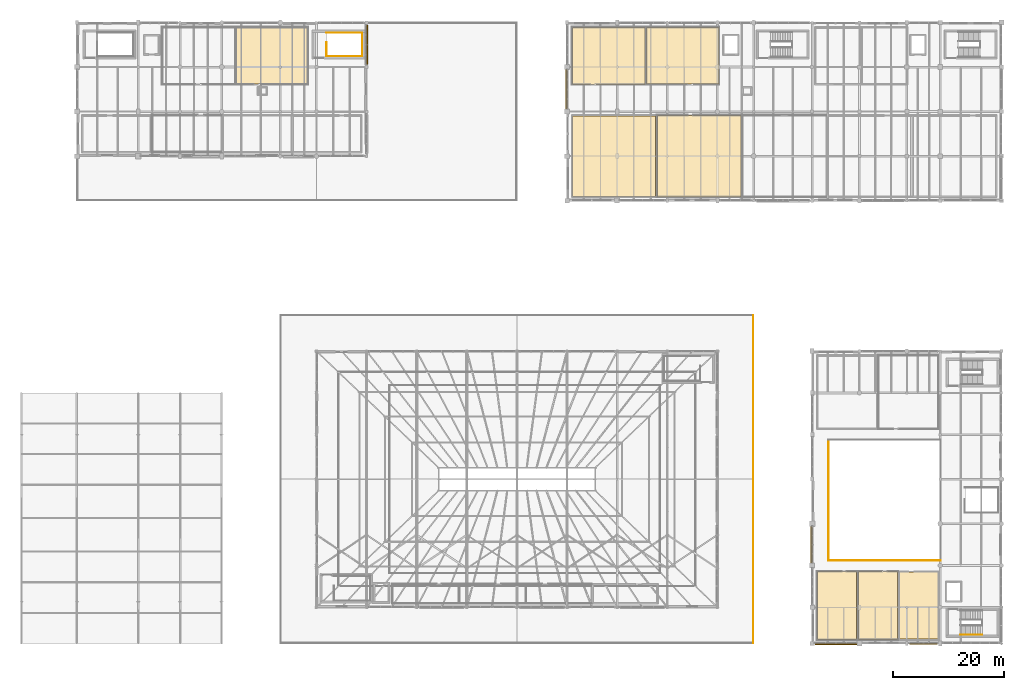
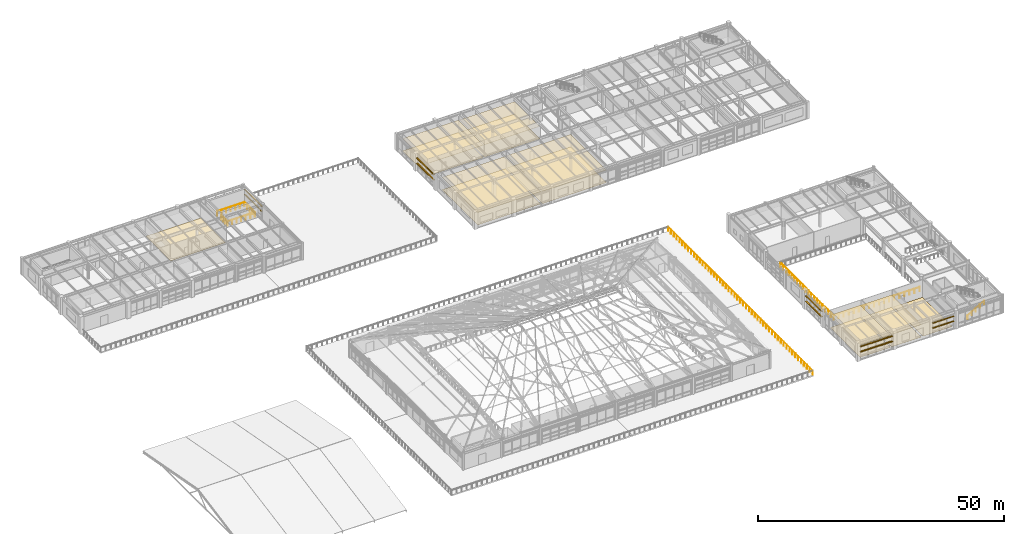
# One storey, part 166 of 168: 14 coverings, 10 shading devices, 5 railings.
"""IFC4 building model written with IfcOpenShell, lengths in metres."""

import ifcopenshell
import ifcopenshell.guid

model = None  # the IFC model being written
_history = None  # IfcOwnerHistory: only IFC2X3 demands one
_inside = {}  # id of a spatial element -> (the spatial element, [elements in it])
_under = {}  # id of a project, library or spatial element -> (it, [spatial elements below it])
_declared = {}  # id of a project -> (the project, [libraries it declares])
_typed = {}  # id of a type object -> (the type object, [elements of that type])
_made_of = {}  # id of a material, layer set ... -> (it, [elements and type objects made of it])


def new_model(schema):
    """Start an empty IFC model of exactly this schema.

    Asked for "IFC4X3", IfcOpenShell would pick the latest addendum, in which some entities
    have other attributes; the version numbers below select the first issue.
    IFC2X3 requires an IfcOwnerHistory on every rooted entity: one is made here for all.
    """
    global model, _history
    if schema == "IFC4X3":
        model = ifcopenshell.file(schema_version=(4, 3, 0, 0))
    else:
        model = ifcopenshell.file(schema=schema)
    _inside.clear()
    _under.clear()
    _declared.clear()
    _typed.clear()
    _made_of.clear()
    _history = None
    if model.schema == "IFC2X3":
        org = make("IfcOrganization", Name="unknown")
        user = make(
            "IfcPersonAndOrganization",
            ThePerson=make("IfcPerson", FamilyName="unknown"),
            TheOrganization=org,
        )
        app = make(
            "IfcApplication",
            ApplicationDeveloper=org,
            Version="unknown",
            ApplicationFullName="unknown",
            ApplicationIdentifier="unknown",
        )
        _history = make(
            "IfcOwnerHistory",
            OwningUser=user,
            OwningApplication=app,
            ChangeAction="ADDED",
            CreationDate=0,
        )
    return model


def make(cls, **values):
    """One entity of the class cls with the attributes given. An attribute that is None is left unset."""
    return model.create_entity(
        cls, **{name: value for name, value in values.items() if value is not None}
    )


def rooted(cls, **values):
    """An entity with a GlobalId (a new one), such as an element, a storey or a relation."""
    return make(cls, GlobalId=ifcopenshell.guid.new(), OwnerHistory=_history, **values)


def si_unit(unit_type, name, prefix=None):
    """IfcSIUnit, for example si_unit("LENGTHUNIT", "METRE", prefix="MILLI")."""
    return make("IfcSIUnit", UnitType=unit_type, Prefix=prefix, Name=name)


def assignment(units):
    """IfcUnitAssignment: the units of a project."""
    return None if units is None else make("IfcUnitAssignment", Units=units)


def point(xyz):
    """IfcCartesianPoint."""
    return None if xyz is None else make("IfcCartesianPoint", Coordinates=xyz)


def direction(xyz):
    """IfcDirection."""
    return None if xyz is None else make("IfcDirection", DirectionRatios=xyz)


def frame(location, z_axis=None, x_axis=None):
    """IfcAxis2Placement3D, a coordinate frame: its origin and axes. An axis left out is left unset."""
    return make(
        "IfcAxis2Placement3D",
        Location=point(location),
        Axis=direction(z_axis),
        RefDirection=direction(x_axis),
    )


def frame_2d(location, x_axis=None):
    """IfcAxis2Placement2D, a coordinate frame in the plane: its origin and x axis."""
    return make(
        "IfcAxis2Placement2D", Location=point(location), RefDirection=direction(x_axis)
    )


def origin():
    """The frame at (0, 0, 0) with its axes left unset."""
    return frame((0.0, 0.0, 0.0))


def origin_2d():
    """The frame at (0, 0) in the plane with its x axis left unset."""
    return frame_2d((0.0, 0.0))


def place(relative_to, where):
    """IfcLocalPlacement: puts the frame where relative to a parent placement (None: the world)."""
    return make(
        "IfcLocalPlacement", PlacementRelTo=relative_to, RelativePlacement=where
    )


def context(
    kind, dimensions, precision=None, world=None, true_north=None, identifier=None
):
    """IfcGeometricRepresentationContext, for example the 3D "Model" context."""
    return make(
        "IfcGeometricRepresentationContext",
        ContextIdentifier=identifier,
        ContextType=kind,
        CoordinateSpaceDimension=dimensions,
        Precision=precision,
        WorldCoordinateSystem=world,
        TrueNorth=true_north,
    )


def subcontext(parent, identifier, kind, view, scale=None):
    """IfcGeometricRepresentationSubContext, for example "Body" below "Model"."""
    return make(
        "IfcGeometricRepresentationSubContext",
        ContextIdentifier=identifier,
        ContextType=kind,
        ParentContext=parent,
        TargetScale=scale,
        TargetView=view,
    )


def project(units=None, contexts=None):
    """IfcProject with its units and contexts."""
    return rooted(
        "IfcProject",
        Name="project",
        RepresentationContexts=contexts,
        UnitsInContext=assignment(units),
    )


def spatial(cls, under=None, at=None, **own):
    """A site, building, storey or space (cls), placed at a placement, below another one or the project."""
    s = rooted(cls, ObjectPlacement=at, **own)
    if under is not None:
        _under.setdefault(under.id(), (under, []))[1].append(s)
    return s


def polyline(points):
    """IfcPolyline through the points."""
    return make("IfcPolyline", Points=[point(p) for p in points])


def profile(cls, at=None, kind="AREA", **sizes):
    """A parametric profile (cls). Its sizes go by their IFC names, for example OverallWidth=200.0."""
    return make(cls, ProfileType=kind, Position=at, **sizes)


def rectangle(**sizes):
    """IfcRectangleProfileDef."""
    return profile("IfcRectangleProfileDef", **sizes)


def circle(**sizes):
    """IfcCircleProfileDef."""
    return profile("IfcCircleProfileDef", **sizes)


def outline(outer, holes=None, kind="AREA"):
    """IfcArbitraryClosedProfileDef: a profile drawn as a closed curve; with holes, ...WithVoids."""
    if holes is None:
        return make("IfcArbitraryClosedProfileDef", ProfileType=kind, OuterCurve=outer)
    return make(
        "IfcArbitraryProfileDefWithVoids",
        ProfileType=kind,
        OuterCurve=outer,
        InnerCurves=holes,
    )


def extrude(swept, where, along, depth):
    """IfcExtrudedAreaSolid: the profile swept, set in the frame where, extruded along a direction by depth."""
    return make(
        "IfcExtrudedAreaSolid",
        SweptArea=swept,
        Position=where,
        ExtrudedDirection=direction(along),
        Depth=depth,
    )


def shape(context_of_items, identifier, shape_type, items):
    """IfcShapeRepresentation: the items that make up one representation, for example the "Body"."""
    return make(
        "IfcShapeRepresentation",
        ContextOfItems=context_of_items,
        RepresentationIdentifier=identifier,
        RepresentationType=shape_type,
        Items=items,
    )


def material(Name=None, Category=None):
    """IfcMaterial."""
    return make("IfcMaterial", Name=Name, Category=Category)


def layer(
    of_material, thickness, ventilated=None, Name=None, Category=None, Priority=None
):
    """IfcMaterialLayer: one layer of a wall or slab, of a material (None: an air gap)."""
    return make(
        "IfcMaterialLayer",
        Material=of_material,
        LayerThickness=thickness,
        IsVentilated=ventilated,
        Name=Name,
        Category=Category,
        Priority=Priority,
    )


def layer_set(layers, Name=None):
    """IfcMaterialLayerSet."""
    return make("IfcMaterialLayerSet", MaterialLayers=layers, LayerSetName=Name)


def made_of(thing, what):
    """Note that an element or type object is made of a material, layer set ...; save() writes the relation."""
    if what is not None:
        _made_of.setdefault(what.id(), (what, []))[1].append(thing)
    return thing


def type_object(cls, material=None, **own):
    """A type object (cls), such as IfcWallType, which elements share."""
    return made_of(rooted(cls, **own), material)


def element(
    cls,
    number,
    at=None,
    inside=None,
    cuts=None,
    type_object=None,
    material=None,
    context=None,
    identifier="Body",
    shape_type=None,
    held_by="IfcProductDefinitionShape",
    body=None,
    shapes=None,
    **own,
):
    """One element of the class cls, such as IfcWall. Its Tag is "e" and its number.

    at: its placement. inside: the storey or other place that contains it. cuts: it is an
    opening in that element (IfcRelVoidsElement). A single representation is given by context,
    identifier, shape_type and body (its items); several are given by shapes. held_by: the class
    of the entity that holds the representations. save() writes the other relations.
    """
    e = rooted(cls, Tag="e%d" % number, ObjectPlacement=at, **own)
    if body is not None:
        shapes = [shape(context, identifier, shape_type, body)]
    if shapes is not None:
        e.Representation = make(held_by, Representations=shapes)
    if inside is not None:
        _inside.setdefault(inside.id(), (inside, []))[1].append(e)
    if cuts is not None:
        rooted(
            "IfcRelVoidsElement", RelatingBuildingElement=cuts, RelatedOpeningElement=e
        )
    if type_object is not None:
        _typed.setdefault(type_object.id(), (type_object, []))[1].append(e)
    return made_of(e, material)


def aggregate(whole, parts):
    """IfcRelAggregates: a whole, such as a stair, and the parts it consists of."""
    return rooted("IfcRelAggregates", RelatingObject=whole, RelatedObjects=parts)


def save(model, path):
    """Write the relations noted so far, then the file.

    IfcRelAggregates (storeys below a building ...), IfcRelContainedInSpatialStructure (elements
    in a storey), IfcRelDefinesByType, IfcRelAssociatesMaterial and IfcRelDeclares: one each for
    every whole, place, type object, material and project.
    """
    for whole, parts in _under.values():
        aggregate(whole, parts)
    for where, things in _inside.values():
        rooted(
            "IfcRelContainedInSpatialStructure",
            RelatedElements=things,
            RelatingStructure=where,
        )
    for kind, things in _typed.values():
        rooted("IfcRelDefinesByType", RelatedObjects=things, RelatingType=kind)
    for what, things in _made_of.values():
        rooted("IfcRelAssociatesMaterial", RelatedObjects=things, RelatingMaterial=what)
    for by, libraries in _declared.values():
        rooted("IfcRelDeclares", RelatingContext=by, RelatedDefinitions=libraries)
    model.write(path)


model = new_model("IFC4")

# Units and contexts
model_context = context("Model", 3, precision=1e-05, world=origin(), true_north=direction((0.0, 1.0)))
body_context = subcontext(model_context, "Body", "Model", "MODEL_VIEW")
ifc_project = project(units=[si_unit("LENGTHUNIT", "METRE"), si_unit("AREAUNIT", "SQUARE_METRE"), si_unit("VOLUMEUNIT", "CUBIC_METRE"), si_unit("PLANEANGLEUNIT", "RADIAN"), si_unit("MASSUNIT", "GRAM", prefix="KILO"), si_unit("THERMODYNAMICTEMPERATUREUNIT", "KELVIN"), si_unit("POWERUNIT", "WATT")], contexts=[model_context])

# Site, building, storey
site_placement = place(None, origin())
site = spatial("IfcSite", under=ifc_project, at=site_placement, CompositionType="ELEMENT")
building_placement = place(site_placement, origin())
building = spatial("IfcBuilding", under=site, at=building_placement, Name="Tepalcoro Natatorium and Aquatics Centre", CompositionType="ELEMENT")
storey_placement = place(building_placement, frame((0.0, 0.0, 10.199951171875)))
storey = spatial("IfcBuildingStorey", under=building, at=storey_placement, Name="L02", CompositionType="ELEMENT", Elevation=10.199951171875)

# Railings
ifc_material_1 = material(Name="Bronze-Anodised Extruded Aluminium Alloy EN AW-6063 T6", Category="aluminium")
railing_type_1 = type_object("IfcRailingType", Name="BL_BRONZE_1100", PredefinedType="BALUSTRADE", material=ifc_material_1)
railing_1_placement = place(storey_placement, frame((144.919921875, 21.419921875, 0.0)))
element("IfcRailing", 1, at=railing_1_placement, inside=storey, type_object=railing_type_1, Name="V2 L02 Diving Well Gallery Balustrade (S)", PredefinedType="BALUSTRADE", context=body_context, shape_type="SweptSolid", body=[
    extrude(circle(Radius=0.02392578125, at=origin_2d()), frame((0.0, 0.0, 1.076171875), z_axis=(1.0, 0.0, 0.0), x_axis=(0.0, 1.0, 0.0)), (0.0, 0.0, 1.0), 20.16015625),
    extrude(circle(Radius=0.02099609375, at=origin_2d()), origin(), (0.0, 0.0, 1.0), 1.052001953125),
    extrude(circle(Radius=0.02099609375, at=origin_2d()), frame((1.185791015625, 0.0, 0.0)), (0.0, 0.0, 1.0), 1.052001953125),
    extrude(circle(Radius=0.02099609375, at=origin_2d()), frame((2.371826171875, 0.0, 0.0)), (0.0, 0.0, 1.0), 1.052001953125),
    extrude(circle(Radius=0.02099609375, at=origin_2d()), frame((3.5576171875, 0.0, 0.0)), (0.0, 0.0, 1.0), 1.052001953125),
    extrude(circle(Radius=0.02099609375, at=origin_2d()), frame((4.74365234375, 0.0, 0.0)), (0.0, 0.0, 1.0), 1.052001953125),
    extrude(circle(Radius=0.02099609375, at=origin_2d()), frame((5.929443359375, 0.0, 0.0)), (0.0, 0.0, 1.0), 1.052001953125),
    extrude(circle(Radius=0.02099609375, at=origin_2d()), frame((7.115234375, 0.0, 0.0)), (0.0, 0.0, 1.0), 1.052001953125),
    extrude(circle(Radius=0.02099609375, at=origin_2d()), frame((8.30126953125, 0.0, 0.0)), (0.0, 0.0, 1.0), 1.052001953125),
    extrude(circle(Radius=0.02099609375, at=origin_2d()), frame((9.487060546875, 0.0, 0.0)), (0.0, 0.0, 1.0), 1.052001953125),
    extrude(circle(Radius=0.02099609375, at=origin_2d()), frame((10.673095703125, 0.0, 0.0)), (0.0, 0.0, 1.0), 1.052001953125),
    extrude(circle(Radius=0.02099609375, at=origin_2d()), frame((11.85888671875, 0.0, 0.0)), (0.0, 0.0, 1.0), 1.052001953125),
    extrude(circle(Radius=0.02099609375, at=origin_2d()), frame((13.044921875, 0.0, 0.0)), (0.0, 0.0, 1.0), 1.052001953125),
    extrude(circle(Radius=0.02099609375, at=origin_2d()), frame((14.230712890625, 0.0, 0.0)), (0.0, 0.0, 1.0), 1.052001953125),
    extrude(circle(Radius=0.02099609375, at=origin_2d()), frame((15.41650390625, 0.0, 0.0)), (0.0, 0.0, 1.0), 1.052001953125),
    extrude(circle(Radius=0.02099609375, at=origin_2d()), frame((16.6025390625, 0.0, 0.0)), (0.0, 0.0, 1.0), 1.052001953125),
    extrude(circle(Radius=0.02099609375, at=origin_2d()), frame((17.788330078125, 0.0, 0.0)), (0.0, 0.0, 1.0), 1.052001953125),
    extrude(circle(Radius=0.02099609375, at=origin_2d()), frame((18.974365234375, 0.0, 0.0)), (0.0, 0.0, 1.0), 1.052001953125),
    extrude(circle(Radius=0.02099609375, at=origin_2d()), frame((20.16015625, 0.0, 0.0)), (0.0, 0.0, 1.0), 1.052001953125),
])
railing_2_placement = place(storey_placement, frame((144.919921875, 43.080078125, 0.0)))
element("IfcRailing", 2, at=railing_2_placement, inside=storey, type_object=railing_type_1, Name="V2 L02 Diving Well Gallery Balustrade (W)", PredefinedType="BALUSTRADE", context=body_context, shape_type="SweptSolid", body=[
    extrude(circle(Radius=0.02392578125, at=origin_2d()), frame((0.0, 0.0, 1.076171875), z_axis=(0.0, -1.0, 0.0), x_axis=(1.0, 0.0, 0.0)), (0.0, 0.0, 1.0), 21.66015625),
    extrude(circle(Radius=0.02099609375, at=origin_2d()), origin(), (0.0, 0.0, 1.0), 1.052001953125),
    extrude(circle(Radius=0.02099609375, at=origin_2d()), frame((0.0, -1.139892578125, 0.0)), (0.0, 0.0, 1.0), 1.052001953125),
    extrude(circle(Radius=0.02099609375, at=origin_2d()), frame((0.0, -2.280029296875, 0.0)), (0.0, 0.0, 1.0), 1.052001953125),
    extrude(circle(Radius=0.02099609375, at=origin_2d()), frame((0.0, -3.419921875, 0.0)), (0.0, 0.0, 1.0), 1.052001953125),
    extrude(circle(Radius=0.02099609375, at=origin_2d()), frame((0.0, -4.56005859375, 0.0)), (0.0, 0.0, 1.0), 1.052001953125),
    extrude(circle(Radius=0.02099609375, at=origin_2d()), frame((0.0, -5.699951171875, 0.0)), (0.0, 0.0, 1.0), 1.052001953125),
    extrude(circle(Radius=0.02099609375, at=origin_2d()), frame((0.0, -6.840087890625, 0.0)), (0.0, 0.0, 1.0), 1.052001953125),
    extrude(circle(Radius=0.02099609375, at=origin_2d()), frame((0.0, -7.97998046875, 0.0)), (0.0, 0.0, 1.0), 1.052001953125),
    extrude(circle(Radius=0.02099609375, at=origin_2d()), frame((0.0, -9.1201171875, 0.0)), (0.0, 0.0, 1.0), 1.052001953125),
    extrude(circle(Radius=0.02099609375, at=origin_2d()), frame((0.0, -10.260009765625, 0.0)), (0.0, 0.0, 1.0), 1.052001953125),
    extrude(circle(Radius=0.02099609375, at=origin_2d()), frame((0.0, -11.400146484375, 0.0)), (0.0, 0.0, 1.0), 1.052001953125),
    extrude(circle(Radius=0.02099609375, at=origin_2d()), frame((0.0, -12.5400390625, 0.0)), (0.0, 0.0, 1.0), 1.052001953125),
    extrude(circle(Radius=0.02099609375, at=origin_2d()), frame((0.0, -13.68017578125, 0.0)), (0.0, 0.0, 1.0), 1.052001953125),
    extrude(circle(Radius=0.02099609375, at=origin_2d()), frame((0.0, -14.820068359375, 0.0)), (0.0, 0.0, 1.0), 1.052001953125),
    extrude(circle(Radius=0.02099609375, at=origin_2d()), frame((0.0, -15.960205078125, 0.0)), (0.0, 0.0, 1.0), 1.052001953125),
    extrude(circle(Radius=0.02099609375, at=origin_2d()), frame((0.0, -17.10009765625, 0.0)), (0.0, 0.0, 1.0), 1.052001953125),
    extrude(circle(Radius=0.02099609375, at=origin_2d()), frame((0.0, -18.240234375, 0.0)), (0.0, 0.0, 1.0), 1.052001953125),
    extrude(circle(Radius=0.02099609375, at=origin_2d()), frame((0.0, -19.380126953125, 0.0)), (0.0, 0.0, 1.0), 1.052001953125),
    extrude(circle(Radius=0.02099609375, at=origin_2d()), frame((0.0, -20.520263671875, 0.0)), (0.0, 0.0, 1.0), 1.052001953125),
    extrude(circle(Radius=0.02099609375, at=origin_2d()), frame((0.0, -21.66015625, 0.0)), (0.0, 0.0, 1.0), 1.052001953125),
])

# Coverings
ifc_material_2 = material(Name="Perforated Corrosion-Resistant Acoustic Aluminium Baffle Ceiling", Category="aluminium")
ifc_layer_1 = layer(ifc_material_2, 0.044921875)
ifc_layer_set_1 = layer_set([ifc_layer_1], Name="Perforated Corrosion-Resistant Acoustic Aluminium Baffle Ceiling")
covering_type_1 = type_object("IfcCoveringType", Name="CL_BAFFLE_120", PredefinedType="CEILING", material=ifc_layer_set_1)
covering_1_placement = place(storey_placement, frame((0.0, 0.0, 3.050048828125)))
element("IfcCovering", 3, at=covering_1_placement, inside=storey, type_object=covering_type_1, Name="High-Speed Motion-Capture Biomechanics Lab Suspended Ceiling", PredefinedType="CEILING", context=body_context, shape_type="SweptSolid", body=[
    extrude(outline(polyline([(150.2880859375, 7.215087890625), (150.2880859375, 19.385009765625), (157.31201171875, 19.385009765625), (157.31201171875, 7.215087890625), (150.2880859375, 7.215087890625)])), origin(), (0.0, 0.0, 1.0), 0.044921875),
])
covering_2_placement = place(storey_placement, frame((0.0, 0.0, 3.050048828125)))
element("IfcCovering", 4, at=covering_2_placement, inside=storey, type_object=covering_type_1, Name="Executive Director & Venue Management Offices Suspended Ceiling", PredefinedType="CEILING", context=body_context, shape_type="SweptSolid", body=[
    extrude(outline(polyline([(98.929931640625, 106.889892578125), (98.929931640625, 117.110107421875), (111.969970703125, 117.110107421875), (111.969970703125, 106.889892578125), (98.929931640625, 106.889892578125)])), origin(), (0.0, 0.0, 1.0), 0.044921875),
])
ifc_material_3 = material(Name="Moisture-Resistant Acoustic Gypsum Drywall on Cold-Formed Metal Studs")
ifc_layer_2 = layer(ifc_material_3, 0.030029296875)
ifc_layer_set_2 = layer_set([ifc_layer_2], Name="Moisture-Resistant Acoustic Gypsum Drywall on Cold-Formed Metal Studs")
covering_type_2 = type_object("IfcCoveringType", Name="CL_GYPSUM_30", PredefinedType="CEILING", material=ifc_layer_set_2)
covering_3_placement = place(storey_placement, frame((0.0, 0.0, 3.050048828125)))
element("IfcCovering", 5, at=covering_3_placement, inside=storey, type_object=covering_type_2, Name="Television Master Control & Replay Production Gallery Suspended Ceiling", PredefinedType="CEILING", context=body_context, shape_type="SweptSolid", body=[
    extrude(outline(polyline([(99.010009765625, 86.77001953125), (99.010009765625, 101.22998046875), (113.8701171875, 101.22998046875), (113.8701171875, 86.77001953125), (99.010009765625, 86.77001953125)])), origin(), (0.0, 0.0, 1.0), 0.030029296875),
])
covering_4_placement = place(storey_placement, frame((0.0, 0.0, 3.050048828125)))
element("IfcCovering", 6, at=covering_4_placement, inside=storey, type_object=covering_type_2, Name="Boardroom & Aquatics Archive Library Suspended Ceiling", PredefinedType="CEILING", context=body_context, shape_type="SweptSolid", body=[
    extrude(outline(polyline([(112.2548828125, 106.9150390625), (112.2548828125, 117.0849609375), (125.2451171875, 117.0849609375), (125.2451171875, 106.9150390625), (112.2548828125, 106.9150390625)])), origin(), (0.0, 0.0, 1.0), 0.030029296875),
])
ifc_layer_3 = layer(ifc_material_2, 0.0400390625)
ifc_layer_set_3 = layer_set([ifc_layer_3], Name="Perforated Corrosion-Resistant Acoustic Aluminium Baffle Ceiling")
covering_type_3 = type_object("IfcCoveringType", Name="CL_PERF_AL_40", PredefinedType="CEILING", material=ifc_layer_set_3)
covering_5_placement = place(storey_placement, frame((0.0, 0.0, 3.050048828125)))
element("IfcCovering", 7, at=covering_5_placement, inside=storey, type_object=covering_type_3, Name="10m Platform Synchronised Diving Preparation Studio Suspended Ceiling", PredefinedType="CEILING", context=body_context, shape_type="SweptSolid", body=[
    extrude(outline(polyline([(142.929931640625, 7.18994140625), (142.929931640625, 19.409912109375), (150.0029296875, 19.409912109375), (150.0029296875, 7.18994140625), (142.929931640625, 7.18994140625)])), origin(), (0.0, 0.0, 1.0), 0.0400390625),
])
covering_6_placement = place(storey_placement, frame((0.0, 0.0, 3.050048828125)))
element("IfcCovering", 8, at=covering_6_placement, inside=storey, type_object=covering_type_3, Name="Audio Mixing, Graphics & Post-Production Suites Suspended Ceiling", PredefinedType="CEILING", context=body_context, shape_type="SweptSolid", body=[
    extrude(outline(polyline([(114.2099609375, 86.68994140625), (114.2099609375, 101.31005859375), (129.22998046875, 101.31005859375), (129.22998046875, 86.68994140625), (114.2099609375, 86.68994140625)])), origin(), (0.0, 0.0, 1.0), 0.0400390625),
])
ifc_material_4 = material(Name="Shock-Absorbing Vulcanised Athletic Rubber Flooring")
ifc_layer_4 = layer(ifc_material_4, 0.010009765625)
ifc_layer_set_4 = layer_set([ifc_layer_4], Name="Shock-Absorbing Vulcanised Athletic Rubber Flooring")
covering_type_4 = type_object("IfcCoveringType", Name="FL_CARPET_10", PredefinedType="FLOORING", material=ifc_layer_set_4)
covering_7_placement = place(storey_placement, origin())
element("IfcCovering", 9, at=covering_7_placement, inside=storey, type_object=covering_type_4, Name="Television Master Control & Replay Production Gallery Floor Finish", PredefinedType="FLOORING", context=body_context, shape_type="SweptSolid", body=[
    extrude(outline(polyline([(99.010009765625, 86.77001953125), (99.010009765625, 101.22998046875), (113.8701171875, 101.22998046875), (113.8701171875, 86.77001953125), (99.010009765625, 86.77001953125)])), origin(), (0.0, 0.0, 1.0), 0.010009765625),
])
ifc_material_5 = material(Name="Slip-Resistant Porcelain Aquatic Deck Tile")
ifc_layer_5 = layer(ifc_material_5, 0.02197265625)
ifc_layer_set_5 = layer_set([ifc_layer_5], Name="Slip-Resistant Porcelain Aquatic Deck Tile")
covering_type_5 = type_object("IfcCoveringType", Name="FL_DECK_TILE_22", PredefinedType="FLOORING", material=ifc_layer_set_5)
covering_8_placement = place(storey_placement, origin())
element("IfcCovering", 10, at=covering_8_placement, inside=storey, type_object=covering_type_5, Name="10m Platform Synchronised Diving Preparation Studio Floor Finish", PredefinedType="FLOORING", context=body_context, shape_type="SweptSolid", body=[
    extrude(outline(polyline([(142.929931640625, 7.18994140625), (142.929931640625, 19.409912109375), (150.0029296875, 19.409912109375), (150.0029296875, 7.18994140625), (142.929931640625, 7.18994140625)])), origin(), (0.0, 0.0, 1.0), 0.02197265625),
])
ifc_material_6 = material(Name="Chemical-Resistant Quartz-Broadcast Epoxy Flooring")
ifc_layer_6 = layer(ifc_material_6, 0.008056640625)
ifc_layer_set_6 = layer_set([ifc_layer_6], Name="Chemical-Resistant Quartz-Broadcast Epoxy Flooring")
covering_type_6 = type_object("IfcCoveringType", Name="FL_EPOXY_8", PredefinedType="FLOORING", material=ifc_layer_set_6)
covering_9_placement = place(storey_placement, origin())
element("IfcCovering", 11, at=covering_9_placement, inside=storey, type_object=covering_type_6, Name="Sports Medicine Physician & Ultrasound Rooms Floor Finish", PredefinedType="FLOORING", context=body_context, shape_type="SweptSolid", body=[
    extrude(outline(polyline([(38.580078125, 106.93994140625), (38.580078125, 117.06005859375), (51.419921875, 117.06005859375), (51.419921875, 106.93994140625), (38.580078125, 106.93994140625)])), origin(), (0.0, 0.0, 1.0), 0.008056640625),
])
covering_10_placement = place(storey_placement, origin())
element("IfcCovering", 12, at=covering_10_placement, inside=storey, type_object=covering_type_6, Name="Boardroom & Aquatics Archive Library Floor Finish", PredefinedType="FLOORING", context=body_context, shape_type="SweptSolid", body=[
    extrude(outline(polyline([(112.2548828125, 106.9150390625), (112.2548828125, 117.0849609375), (125.2451171875, 117.0849609375), (125.2451171875, 106.9150390625), (112.2548828125, 106.9150390625)])), origin(), (0.0, 0.0, 1.0), 0.008056640625),
])
ifc_layer_7 = layer(ifc_material_4, 0.011962890625)
ifc_layer_set_7 = layer_set([ifc_layer_7], Name="Shock-Absorbing Vulcanised Athletic Rubber Flooring")
covering_type_7 = type_object("IfcCoveringType", Name="FL_RUBBER_12", PredefinedType="FLOORING", material=ifc_layer_set_7)
covering_11_placement = place(storey_placement, origin())
element("IfcCovering", 13, at=covering_11_placement, inside=storey, type_object=covering_type_7, Name="Audio Mixing, Graphics & Post-Production Suites Floor Finish", PredefinedType="FLOORING", context=body_context, shape_type="SweptSolid", body=[
    extrude(outline(polyline([(114.2099609375, 86.68994140625), (114.2099609375, 101.31005859375), (129.22998046875, 101.31005859375), (129.22998046875, 86.68994140625), (114.2099609375, 86.68994140625)])), origin(), (0.0, 0.0, 1.0), 0.011962890625),
])
ifc_material_7 = material(Name="Polished Jalisco Basalt Aggregate Terrazzo Flooring", Category="masonry")
ifc_layer_8 = layer(ifc_material_7, 0.028076171875)
ifc_layer_set_8 = layer_set([ifc_layer_8], Name="Polished Jalisco Basalt Aggregate Terrazzo Flooring")
covering_type_8 = type_object("IfcCoveringType", Name="FL_TERRAZZO_25", PredefinedType="FLOORING", material=ifc_layer_set_8)
covering_12_placement = place(storey_placement, origin())
element("IfcCovering", 14, at=covering_12_placement, inside=storey, type_object=covering_type_8, Name="L02 Diving Athletes Accessible WC & Shower Floor Finish", PredefinedType="FLOORING", context=body_context, shape_type="SweptSolid", body=[
    extrude(outline(polyline([(157.697021484375, 7.2900390625), (157.697021484375, 19.31005859375), (164.570068359375, 19.31005859375), (164.570068359375, 7.2900390625), (157.697021484375, 7.2900390625)])), origin(), (0.0, 0.0, 1.0), 0.028076171875),
])
covering_13_placement = place(storey_placement, origin())
element("IfcCovering", 15, at=covering_13_placement, inside=storey, type_object=covering_type_8, Name="Executive Director & Venue Management Offices Floor Finish", PredefinedType="FLOORING", context=body_context, shape_type="SweptSolid", body=[
    extrude(outline(polyline([(98.929931640625, 106.889892578125), (98.929931640625, 117.110107421875), (111.969970703125, 117.110107421875), (111.969970703125, 106.889892578125), (98.929931640625, 106.889892578125)])), origin(), (0.0, 0.0, 1.0), 0.028076171875),
])
ifc_material_8 = material(Name="Sprung Maple Sports Floor Assembly")
ifc_layer_9 = layer(ifc_material_8, 0.02392578125)
ifc_layer_set_9 = layer_set([ifc_layer_9], Name="Sprung Maple Sports Floor Assembly")
covering_type_9 = type_object("IfcCoveringType", Name="FL_WOOD_22", PredefinedType="FLOORING", material=ifc_layer_set_9)
covering_14_placement = place(storey_placement, origin())
element("IfcCovering", 16, at=covering_14_placement, inside=storey, type_object=covering_type_9, Name="High-Speed Motion-Capture Biomechanics Lab Floor Finish", PredefinedType="FLOORING", context=body_context, shape_type="SweptSolid", body=[
    extrude(outline(polyline([(150.2880859375, 7.215087890625), (150.2880859375, 19.385009765625), (157.31201171875, 19.385009765625), (157.31201171875, 7.215087890625), (150.2880859375, 7.215087890625)])), origin(), (0.0, 0.0, 1.0), 0.024169921875),
])

# Railings
railing_type_2 = type_object("IfcRailingType", Name="RL_HAND_900_BRZ", PredefinedType="HANDRAIL", material=ifc_material_1)
railing_3_placement = place(storey_placement, frame((168.64990234375, 8.080078125, 0.0)))
element("IfcRailing", 17, at=railing_3_placement, inside=storey, type_object=railing_type_2, Name="ST03-L02 Wall Handrail F1", PredefinedType="HANDRAIL", context=body_context, shape_type="SweptSolid", body=[
    extrude(circle(Radius=0.02392578125, at=origin_2d()), frame((0.0, 0.0, 0.8759765625), z_axis=(0.861369533088, 0.0, 0.507978865178), x_axis=(0.0, 1.0, 0.0)), (0.0, 0.0, 1.0), 4.52783203125),
    extrude(circle(Radius=0.02099609375, at=origin_2d()), origin(), (0.0, 0.0, 1.0), 0.851806640625),
    extrude(circle(Radius=0.02099609375, at=origin_2d()), frame((0.97509765625, 0.0, 0.574951171875)), (0.0, 0.0, 1.0), 0.851806640625),
    extrude(circle(Radius=0.02099609375, at=origin_2d()), frame((1.9501953125, 0.0, 1.14990234375)), (0.0, 0.0, 1.0), 0.851806640625),
    extrude(circle(Radius=0.02099609375, at=origin_2d()), frame((2.925048828125, 0.0, 1.72509765625)), (0.0, 0.0, 1.0), 0.851806640625),
    extrude(circle(Radius=0.02099609375, at=origin_2d()), frame((3.900146484375, 0.0, 2.300048828125)), (0.0, 0.0, 1.0), 0.851806640625),
])
ifc_material_9 = material(Name="Marine-Grade Brushed Stainless Steel AISI 316L", Category="steel")
railing_type_3 = type_object("IfcRailingType", Name="RL_PERF_1100", PredefinedType="GUARDRAIL", material=ifc_material_9)
railing_4_placement = place(storey_placement, frame((131.419921875, 6.580078125, 0.0)))
element("IfcRailing", 18, at=railing_4_placement, inside=storey, type_object=railing_type_3, Name="V1 L02 Planted Terrace Perimeter Guardrail (E)", PredefinedType="GUARDRAIL", context=body_context, shape_type="SweptSolid", body=[
    extrude(circle(Radius=0.02392578125, at=origin_2d()), frame((0.0, 0.0, 1.11572265625), z_axis=(0.0, 1.0, 0.0), x_axis=(-1.0, 0.0, 0.0)), (0.0, 0.0, 1.0), 58.83984375),
    extrude(circle(Radius=0.02099609375, at=origin_2d()), origin(), (0.0, 0.0, 1.0), 1.091796875),
    extrude(circle(Radius=0.02099609375, at=origin_2d()), frame((0.0, 1.1767578125, 0.0)), (0.0, 0.0, 1.0), 1.091796875),
    extrude(circle(Radius=0.02099609375, at=origin_2d()), frame((0.0, 2.353515625, 0.0)), (0.0, 0.0, 1.0), 1.091796875),
    extrude(circle(Radius=0.02099609375, at=origin_2d()), frame((0.0, 3.5302734375, 0.0)), (0.0, 0.0, 1.0), 1.091796875),
    extrude(circle(Radius=0.02099609375, at=origin_2d()), frame((0.0, 4.707275390625, 0.0)), (0.0, 0.0, 1.0), 1.091796875),
    extrude(circle(Radius=0.02099609375, at=origin_2d()), frame((0.0, 5.884033203125, 0.0)), (0.0, 0.0, 1.0), 1.091796875),
    extrude(circle(Radius=0.02099609375, at=origin_2d()), frame((0.0, 7.060791015625, 0.0)), (0.0, 0.0, 1.0), 1.091796875),
    extrude(circle(Radius=0.02099609375, at=origin_2d()), frame((0.0, 8.237548828125, 0.0)), (0.0, 0.0, 1.0), 1.091796875),
    extrude(circle(Radius=0.02099609375, at=origin_2d()), frame((0.0, 9.414306640625, 0.0)), (0.0, 0.0, 1.0), 1.091796875),
    extrude(circle(Radius=0.02099609375, at=origin_2d()), frame((0.0, 10.591064453125, 0.0)), (0.0, 0.0, 1.0), 1.091796875),
    extrude(circle(Radius=0.02099609375, at=origin_2d()), frame((0.0, 11.76806640625, 0.0)), (0.0, 0.0, 1.0), 1.091796875),
    extrude(circle(Radius=0.02099609375, at=origin_2d()), frame((0.0, 12.94482421875, 0.0)), (0.0, 0.0, 1.0), 1.091796875),
    extrude(circle(Radius=0.02099609375, at=origin_2d()), frame((0.0, 14.12158203125, 0.0)), (0.0, 0.0, 1.0), 1.091796875),
    extrude(circle(Radius=0.02099609375, at=origin_2d()), frame((0.0, 15.29833984375, 0.0)), (0.0, 0.0, 1.0), 1.091796875),
    extrude(circle(Radius=0.02099609375, at=origin_2d()), frame((0.0, 16.47509765625, 0.0)), (0.0, 0.0, 1.0), 1.091796875),
    extrude(circle(Radius=0.02099609375, at=origin_2d()), frame((0.0, 17.65185546875, 0.0)), (0.0, 0.0, 1.0), 1.091796875),
    extrude(circle(Radius=0.02099609375, at=origin_2d()), frame((0.0, 18.828857421875, 0.0)), (0.0, 0.0, 1.0), 1.091796875),
    extrude(circle(Radius=0.02099609375, at=origin_2d()), frame((0.0, 20.005615234375, 0.0)), (0.0, 0.0, 1.0), 1.091796875),
    extrude(circle(Radius=0.02099609375, at=origin_2d()), frame((0.0, 21.182373046875, 0.0)), (0.0, 0.0, 1.0), 1.091796875),
    extrude(circle(Radius=0.02099609375, at=origin_2d()), frame((0.0, 22.359130859375, 0.0)), (0.0, 0.0, 1.0), 1.091796875),
    extrude(circle(Radius=0.02099609375, at=origin_2d()), frame((0.0, 23.535888671875, 0.0)), (0.0, 0.0, 1.0), 1.091796875),
    extrude(circle(Radius=0.02099609375, at=origin_2d()), frame((0.0, 24.712646484375, 0.0)), (0.0, 0.0, 1.0), 1.091796875),
    extrude(circle(Radius=0.02099609375, at=origin_2d()), frame((0.0, 25.8896484375, 0.0)), (0.0, 0.0, 1.0), 1.091796875),
    extrude(circle(Radius=0.02099609375, at=origin_2d()), frame((0.0, 27.06640625, 0.0)), (0.0, 0.0, 1.0), 1.091796875),
    extrude(circle(Radius=0.02099609375, at=origin_2d()), frame((0.0, 28.2431640625, 0.0)), (0.0, 0.0, 1.0), 1.091796875),
    extrude(circle(Radius=0.02099609375, at=origin_2d()), frame((0.0, 29.419921875, 0.0)), (0.0, 0.0, 1.0), 1.091796875),
    extrude(circle(Radius=0.02099609375, at=origin_2d()), frame((0.0, 30.5966796875, 0.0)), (0.0, 0.0, 1.0), 1.091796875),
    extrude(circle(Radius=0.02099609375, at=origin_2d()), frame((0.0, 31.7734375, 0.0)), (0.0, 0.0, 1.0), 1.091796875),
    extrude(circle(Radius=0.02099609375, at=origin_2d()), frame((0.0, 32.9501953125, 0.0)), (0.0, 0.0, 1.0), 1.091796875),
    extrude(circle(Radius=0.02099609375, at=origin_2d()), frame((0.0, 34.127197265625, 0.0)), (0.0, 0.0, 1.0), 1.091796875),
    extrude(circle(Radius=0.02099609375, at=origin_2d()), frame((0.0, 35.303955078125, 0.0)), (0.0, 0.0, 1.0), 1.091796875),
    extrude(circle(Radius=0.02099609375, at=origin_2d()), frame((0.0, 36.480712890625, 0.0)), (0.0, 0.0, 1.0), 1.091796875),
    extrude(circle(Radius=0.02099609375, at=origin_2d()), frame((0.0, 37.657470703125, 0.0)), (0.0, 0.0, 1.0), 1.091796875),
    extrude(circle(Radius=0.02099609375, at=origin_2d()), frame((0.0, 38.834228515625, 0.0)), (0.0, 0.0, 1.0), 1.091796875),
    extrude(circle(Radius=0.02099609375, at=origin_2d()), frame((0.0, 40.010986328125, 0.0)), (0.0, 0.0, 1.0), 1.091796875),
    extrude(circle(Radius=0.02099609375, at=origin_2d()), frame((0.0, 41.18798828125, 0.0)), (0.0, 0.0, 1.0), 1.091796875),
    extrude(circle(Radius=0.02099609375, at=origin_2d()), frame((0.0, 42.36474609375, 0.0)), (0.0, 0.0, 1.0), 1.091796875),
    extrude(circle(Radius=0.02099609375, at=origin_2d()), frame((0.0, 43.54150390625, 0.0)), (0.0, 0.0, 1.0), 1.091796875),
    extrude(circle(Radius=0.02099609375, at=origin_2d()), frame((0.0, 44.71826171875, 0.0)), (0.0, 0.0, 1.0), 1.091796875),
    extrude(circle(Radius=0.02099609375, at=origin_2d()), frame((0.0, 45.89501953125, 0.0)), (0.0, 0.0, 1.0), 1.091796875),
    extrude(circle(Radius=0.02099609375, at=origin_2d()), frame((0.0, 47.07177734375, 0.0)), (0.0, 0.0, 1.0), 1.091796875),
    extrude(circle(Radius=0.02099609375, at=origin_2d()), frame((0.0, 48.248779296875, 0.0)), (0.0, 0.0, 1.0), 1.091796875),
    extrude(circle(Radius=0.02099609375, at=origin_2d()), frame((0.0, 49.425537109375, 0.0)), (0.0, 0.0, 1.0), 1.091796875),
    extrude(circle(Radius=0.02099609375, at=origin_2d()), frame((0.0, 50.602294921875, 0.0)), (0.0, 0.0, 1.0), 1.091796875),
    extrude(circle(Radius=0.02099609375, at=origin_2d()), frame((0.0, 51.779052734375, 0.0)), (0.0, 0.0, 1.0), 1.091796875),
    extrude(circle(Radius=0.02099609375, at=origin_2d()), frame((0.0, 52.955810546875, 0.0)), (0.0, 0.0, 1.0), 1.091796875),
    extrude(circle(Radius=0.02099609375, at=origin_2d()), frame((0.0, 54.132568359375, 0.0)), (0.0, 0.0, 1.0), 1.091796875),
    extrude(circle(Radius=0.02099609375, at=origin_2d()), frame((0.0, 55.3095703125, 0.0)), (0.0, 0.0, 1.0), 1.091796875),
    extrude(circle(Radius=0.02099609375, at=origin_2d()), frame((0.0, 56.486328125, 0.0)), (0.0, 0.0, 1.0), 1.091796875),
    extrude(circle(Radius=0.02099609375, at=origin_2d()), frame((0.0, 57.6630859375, 0.0)), (0.0, 0.0, 1.0), 1.091796875),
    extrude(circle(Radius=0.02099609375, at=origin_2d()), frame((0.0, 58.83984375, 0.0)), (0.0, 0.0, 1.0), 1.091796875),
])
ifc_material_10 = material(Name="Hollow Steel ASTM A500 Grade C (Fy 345 MPa)", Category="steel")
railing_type_4 = type_object("IfcRailingType", Name="RL_STEEL_1100", PredefinedType="GUARDRAIL", material=ifc_material_10)
railing_5_placement = place(storey_placement, frame((54.81005859375, 114.429931640625, 0.0)))
element("IfcRailing", 19, at=railing_5_placement, inside=storey, type_object=railing_type_4, Name="ST08 Top Floor Stairwell Guardrail (L02)", PredefinedType="GUARDRAIL", context=body_context, shape_type="SweptSolid", body=[
    extrude(circle(Radius=0.02392578125, at=origin_2d()), frame((0.0, 0.0, 1.1259765625), z_axis=(0.0, -1.0, 0.0), x_axis=(1.0, 0.0, 0.0)), (0.0, 0.0, 1.0), 2.5),
    extrude(circle(Radius=0.02392578125, at=origin_2d()), frame((0.0, -2.5, 1.1259765625), z_axis=(1.0, 0.0, 0.0), x_axis=(0.0, 1.0, 0.0)), (0.0, 0.0, 1.0), 6.429931640625),
    extrude(circle(Radius=0.02392578125, at=origin_2d()), frame((6.429931640625, -2.5, 1.1259765625), z_axis=(0.0, 1.0, 0.0), x_axis=(-1.0, 0.0, 0.0)), (0.0, 0.0, 1.0), 4.239990234375),
    extrude(circle(Radius=0.02392578125, at=origin_2d()), frame((6.429931640625, 1.739990234375, 1.1259765625), z_axis=(-1.0, 0.0, 0.0), x_axis=(0.0, -1.0, 0.0)), (0.0, 0.0, 1.0), 6.429931640625),
    extrude(circle(Radius=0.02099609375, at=origin_2d()), origin(), (0.0, 0.0, 1.0), 1.101806640625),
    extrude(circle(Radius=0.02099609375, at=origin_2d()), frame((0.0, -0.833251953125, 0.0)), (0.0, 0.0, 1.0), 1.101806640625),
    extrude(circle(Radius=0.02099609375, at=origin_2d()), frame((0.0, -1.666748046875, 0.0)), (0.0, 0.0, 1.0), 1.101806640625),
    extrude(circle(Radius=0.02099609375, at=origin_2d()), frame((0.0, -2.5, 0.0)), (0.0, 0.0, 1.0), 1.101806640625),
    extrude(circle(Radius=0.02099609375, at=origin_2d()), frame((1.07177734375, -2.5, 0.0)), (0.0, 0.0, 1.0), 1.101806640625),
    extrude(circle(Radius=0.02099609375, at=origin_2d()), frame((2.143310546875, -2.5, 0.0)), (0.0, 0.0, 1.0), 1.101806640625),
    extrude(circle(Radius=0.02099609375, at=origin_2d()), frame((3.21484375, -2.5, 0.0)), (0.0, 0.0, 1.0), 1.101806640625),
    extrude(circle(Radius=0.02099609375, at=origin_2d()), frame((4.28662109375, -2.5, 0.0)), (0.0, 0.0, 1.0), 1.101806640625),
    extrude(circle(Radius=0.02099609375, at=origin_2d()), frame((5.3583984375, -2.5, 0.0)), (0.0, 0.0, 1.0), 1.101806640625),
    extrude(circle(Radius=0.02099609375, at=origin_2d()), frame((6.429931640625, -2.5, 0.0)), (0.0, 0.0, 1.0), 1.101806640625),
    extrude(circle(Radius=0.02099609375, at=origin_2d()), frame((6.429931640625, -1.43994140625, 0.0)), (0.0, 0.0, 1.0), 1.101806640625),
    extrude(circle(Radius=0.02099609375, at=origin_2d()), frame((6.429931640625, -0.3798828125, 0.0)), (0.0, 0.0, 1.0), 1.101806640625),
    extrude(circle(Radius=0.02099609375, at=origin_2d()), frame((6.429931640625, 0.679931640625, 0.0)), (0.0, 0.0, 1.0), 1.101806640625),
    extrude(circle(Radius=0.02099609375, at=origin_2d()), frame((6.429931640625, 1.739990234375, 0.0)), (0.0, 0.0, 1.0), 1.101806640625),
    extrude(circle(Radius=0.02099609375, at=origin_2d()), frame((5.3583984375, 1.739990234375, 0.0)), (0.0, 0.0, 1.0), 1.101806640625),
    extrude(circle(Radius=0.02099609375, at=origin_2d()), frame((4.28662109375, 1.739990234375, 0.0)), (0.0, 0.0, 1.0), 1.101806640625),
    extrude(circle(Radius=0.02099609375, at=origin_2d()), frame((3.21484375, 1.739990234375, 0.0)), (0.0, 0.0, 1.0), 1.101806640625),
    extrude(circle(Radius=0.02099609375, at=origin_2d()), frame((2.143310546875, 1.739990234375, 0.0)), (0.0, 0.0, 1.0), 1.101806640625),
    extrude(circle(Radius=0.02099609375, at=origin_2d()), frame((1.07177734375, 1.739990234375, 0.0)), (0.0, 0.0, 1.0), 1.101806640625),
    extrude(circle(Radius=0.02099609375, at=origin_2d()), frame((0.0, 1.739990234375, 0.0)), (0.0, 0.0, 1.0), 1.101806640625),
])

# Shading devices
shading_device_type_1 = type_object("IfcShadingDeviceType", Name="SHD_FIN_BRONZE", PredefinedType="SHUTTER", material=ifc_material_1)
for number, where, z_axis, x_axis, name in (
    (20, (146.25, 6.4111328125, 1.985595703125), (0.0, 0.0, 1.0), (1.0, 0.0, 0.0), "Solar Shading Brise-Soleil SHD_FIN_BRONZE"),
    (21, (146.25, 6.4111328125, 3.300048828125), (0.0, 0.0, 1.0), (1.0, 0.0, 0.0), "Solar Shading Brise-Soleil SHD_FIN_BRONZE"),
):
    element("IfcShadingDevice", number, at=place(storey_placement, frame(where, z_axis=z_axis, x_axis=x_axis)), inside=storey, type_object=shading_device_type_1, Name=name, PredefinedType="SHUTTER", context=body_context, shape_type="SweptSolid", body=[
        extrude(rectangle(XDim=7.4599609375, YDim=0.300048828125, at=origin_2d()), origin(), (0.0, 0.0, 1.0), 0.080078125),
    ])
for number, where, z_axis, x_axis, name in (
    (22, (141.90625, 24.25, 2.006591796875), (0.0, 0.0, 1.0), (1.0, 0.0, 0.0), "Solar Shading Brise-Soleil SHD_FIN_BRONZE"),
    (23, (141.90625, 24.25, 3.346923828125), (0.0, 0.0, 1.0), (1.0, 0.0, 0.0), "Solar Shading Brise-Soleil SHD_FIN_BRONZE"),
):
    element("IfcShadingDevice", number, at=place(storey_placement, frame(where, z_axis=z_axis, x_axis=x_axis)), inside=storey, type_object=shading_device_type_1, Name=name, PredefinedType="SHUTTER", context=body_context, shape_type="SweptSolid", body=[
        extrude(rectangle(XDim=0.300048828125, YDim=6.4599609375, at=origin_2d()), origin(), (0.0, 0.0, 1.0), 0.080078125),
    ])
for number, where, z_axis, x_axis, name in (
    (24, (97.90625, 106.0, 1.970703125), (0.0, 0.0, 1.0), (1.0, 0.0, 0.0), "Solar Shading Brise-Soleil SHD_FIN_BRONZE"),
    (25, (97.90625, 106.0, 3.26708984375), (0.0, 0.0, 1.0), (1.0, 0.0, 0.0), "Solar Shading Brise-Soleil SHD_FIN_BRONZE"),
):
    element("IfcShadingDevice", number, at=place(storey_placement, frame(where, z_axis=z_axis, x_axis=x_axis)), inside=storey, type_object=shading_device_type_1, Name=name, PredefinedType="SHUTTER", context=body_context, shape_type="SweptSolid", body=[
        extrude(rectangle(XDim=0.300048828125, YDim=6.9599609375, at=origin_2d()), origin(), (0.0, 0.0, 1.0), 0.080078125),
    ])
shading_device_type_2 = type_object("IfcShadingDeviceType", Name="SHD_LOUVRE_AL", PredefinedType="JALOUSIE", material=ifc_material_1)
for number, where, z_axis, x_axis, name in (
    (26, (162.0, 6.441162109375, 1.90869140625), (0.0, 0.0, 1.0), (1.0, 0.0, 0.0), "Solar Shading Brise-Soleil SHD_LOUVRE_AL"),
    (27, (162.0, 6.441162109375, 3.14794921875), (0.0, 0.0, 1.0), (1.0, 0.0, 0.0), "Solar Shading Brise-Soleil SHD_LOUVRE_AL"),
):
    element("IfcShadingDevice", number, at=place(storey_placement, frame(where, z_axis=z_axis, x_axis=x_axis)), inside=storey, type_object=shading_device_type_2, Name=name, PredefinedType="JALOUSIE", context=body_context, shape_type="SweptSolid", body=[
        extrude(rectangle(XDim=4.9599609375, YDim=0.239990234375, at=origin_2d()), origin(), (0.0, 0.0, 1.0), 0.080078125),
    ])
for number, where, z_axis, x_axis, name in (
    (28, (62.063720703125, 114.0, 1.876953125), (0.0, 0.0, 1.0), (1.0, 0.0, 0.0), "Solar Shading Brise-Soleil SHD_LOUVRE_AL"),
    (29, (62.063720703125, 114.0, 3.093994140625), (0.0, 0.0, 1.0), (1.0, 0.0, 0.0), "Solar Shading Brise-Soleil SHD_LOUVRE_AL"),
):
    element("IfcShadingDevice", number, at=place(storey_placement, frame(where, z_axis=z_axis, x_axis=x_axis)), inside=storey, type_object=shading_device_type_2, Name=name, PredefinedType="JALOUSIE", context=body_context, shape_type="SweptSolid", body=[
        extrude(rectangle(XDim=0.239990234375, YDim=6.9599609375, at=origin_2d()), origin(), (0.0, 0.0, 1.0), 0.080078125),
    ])

save(model, "model.ifc")
